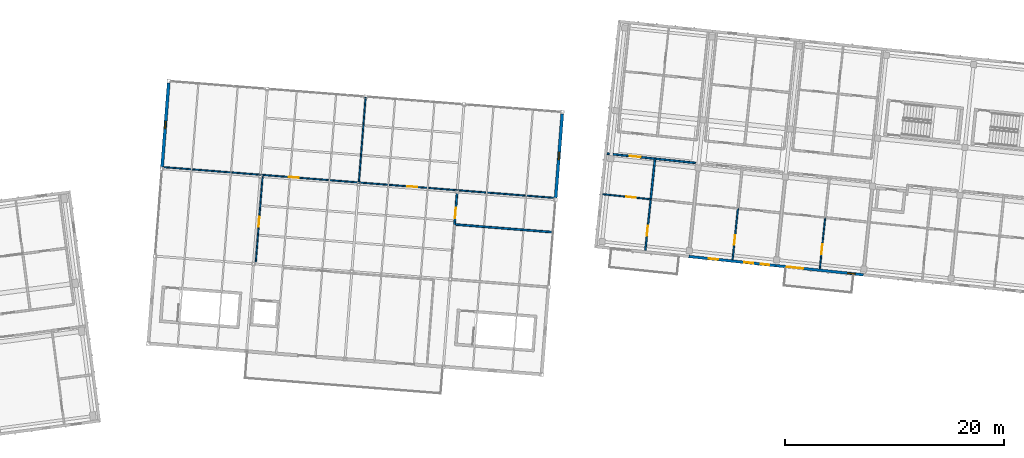
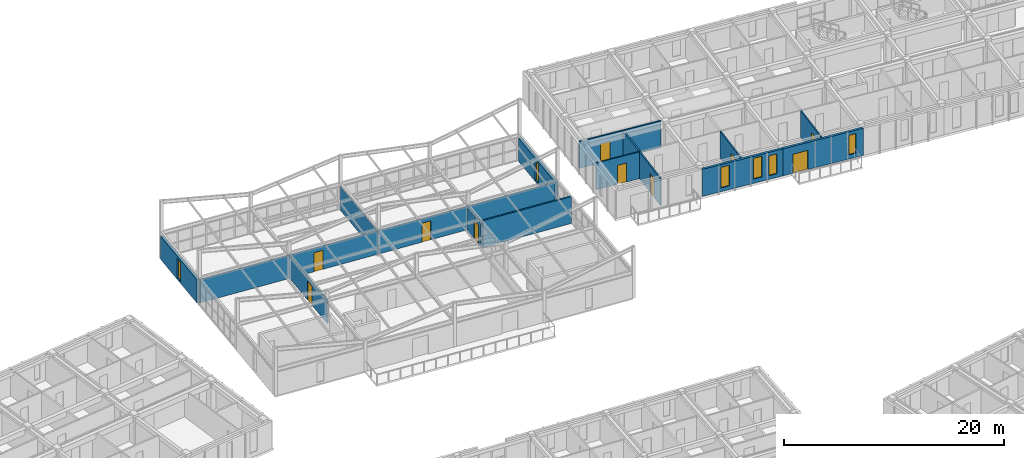
# One storey, part 85 of 127: 16 walls, 10 doors, 6 windows, 16 openings.
"""IFC4 building model written with IfcOpenShell, lengths in metres."""

from ifc_helpers import new_model, si_unit, direction, frame, frame_2d, origin, place, context, subcontext, project, spatial, rectangle, extrude, material, layer, layer_set, type_object, element, fill, save


model = new_model("IFC4")

# Units and contexts
model_context = context("Model", 3, precision=1e-05, world=origin(), true_north=direction((0.0, 1.0)))
body_context = subcontext(model_context, "Body", "Model", "MODEL_VIEW")
ifc_project = project(units=[si_unit("LENGTHUNIT", "METRE"), si_unit("AREAUNIT", "SQUARE_METRE"), si_unit("VOLUMEUNIT", "CUBIC_METRE"), si_unit("PLANEANGLEUNIT", "RADIAN"), si_unit("MASSUNIT", "GRAM", prefix="KILO")], contexts=[model_context])

# Site, building, storey
site_placement = place(None, origin())
site = spatial("IfcSite", under=ifc_project, at=site_placement, CompositionType="ELEMENT")
building_placement = place(site_placement, origin())
building = spatial("IfcBuilding", under=site, at=building_placement, Name="Kestramere Prow Commons", CompositionType="ELEMENT")
storey_placement = place(building_placement, frame((0.0, 0.0, 8.39990234375)))
storey = spatial("IfcBuildingStorey", under=building, at=storey_placement, Name="L02", CompositionType="ELEMENT", Elevation=8.39990234375)

# Wall, opening, window
ifc_material_1 = material(Name="Precast concrete C40/50", Category="concrete")
ifc_layer_1 = layer(ifc_material_1, 0.280029296875)
ifc_layer_set_1 = layer_set([ifc_layer_1], Name="Precast concrete C40/50")
wall_type_1 = type_object("IfcWallType", Name="EW-CIVIC-280", PredefinedType="SOLIDWALL", material=ifc_layer_set_1)
wall_1_placement = place(storey_placement, frame((69.8671875, 101.60009765625, 0.0), z_axis=(0.0, 0.0, 1.0), x_axis=(0.078442108986, 0.996918670473, 0.0)))
wall_1 = element("IfcWall", 1, at=wall_1_placement, inside=storey, type_object=wall_type_1, Name="Nursery L02 W Wall 3", PredefinedType="SOLIDWALL", context=body_context, shape_type="SweptSolid", body=[
    extrude(rectangle(XDim=7.699951171875, YDim=0.280029296875, at=frame_2d((3.85009765625, 0.0))), origin(), (0.0, 0.0, 1.0), 2.580078125),
])
opening_1_placement = place(wall_1_placement, frame((3.5, 0.0, 0.199951171875)))
opening_1 = element("IfcOpeningElement", 2, at=opening_1_placement, cuts=wall_1, Name="Opening WN-16", PredefinedType="OPENING", context=body_context, shape_type="SweptSolid", body=[
    extrude(rectangle(XDim=0.699951171875, YDim=2.139892578125, at=frame_2d((0.35009765625, 1.06982421875))), frame((0.0, 0.155029296875, 0.0), z_axis=(0.0, -1.0, 0.0), x_axis=(1.0, 0.0, 0.0)), (0.0, 0.0, 1.0), 0.31005859375),
])
ifc_material_2 = material(Name="Low-E Laminated Double Glazing", Category="glass")
window_type_1 = type_object("IfcWindowType", Name="WN-CIV-700", PartitioningType="SINGLE_PANEL", PredefinedType="WINDOW", material=ifc_material_2)
window_1_placement = place(opening_1_placement, origin())
window_1 = element("IfcWindow", 3, at=window_1_placement, inside=storey, type_object=window_type_1, Name="WN-NR-L02-W-2", OverallHeight=2.139892578125, OverallWidth=0.699951171875, PartitioningType="SINGLE_PANEL", PredefinedType="WINDOW", context=body_context, shape_type="SweptSolid", body=[
    extrude(rectangle(XDim=0.699951171875, YDim=2.139892578125, at=frame_2d((0.35009765625, 1.06982421875))), frame((0.0, 0.030029296875, 0.0), z_axis=(0.0, -1.0, 0.0), x_axis=(1.0, 0.0, 0.0)), (0.0, 0.0, 1.0), 0.06005859375),
])
fill(opening_1, window_1)

wall_2_placement = place(storey_placement, frame((106.3603515625, 106.451904296875, 0.0), z_axis=(0.0, 0.0, 1.0), x_axis=(-0.078473620365, -0.996916190513, 0.0)))
wall_2 = element("IfcWall", 4, at=wall_2_placement, inside=storey, type_object=wall_type_1, Name="Nursery L02 E Wall 3", PredefinedType="SOLIDWALL", context=body_context, shape_type="SweptSolid", body=[
    extrude(rectangle(XDim=7.699951171875, YDim=0.280029296875, at=frame_2d((3.85009765625, 0.0))), origin(), (0.0, 0.0, 1.0), 2.580078125),
])
opening_2_placement = place(wall_2_placement, frame((3.5, 0.0, 0.199951171875)))
opening_2 = element("IfcOpeningElement", 5, at=opening_2_placement, cuts=wall_2, Name="Opening WN-16", PredefinedType="OPENING", context=body_context, shape_type="SweptSolid", body=[
    extrude(rectangle(XDim=0.699951171875, YDim=2.139892578125, at=frame_2d((0.35009765625, 1.06982421875))), frame((0.0, 0.155029296875, 0.0), z_axis=(0.0, -1.0, 0.0), x_axis=(1.0, 0.0, 0.0)), (0.0, 0.0, 1.0), 0.31005859375),
])
window_2_placement = place(opening_2_placement, origin())
window_2 = element("IfcWindow", 6, at=window_2_placement, inside=storey, type_object=window_type_1, Name="WN-NR-L02-E-2", OverallHeight=2.139892578125, OverallWidth=0.699951171875, PartitioningType="SINGLE_PANEL", PredefinedType="WINDOW", context=body_context, shape_type="SweptSolid", body=[
    extrude(rectangle(XDim=0.699951171875, YDim=2.139892578125, at=frame_2d((0.35009765625, 1.06982421875))), frame((0.0, 0.030029296875, 0.0), z_axis=(0.0, -1.0, 0.0), x_axis=(1.0, 0.0, 0.0)), (0.0, 0.0, 1.0), 0.06005859375),
])
fill(opening_2, window_2)

# Wall, openings, windows
ifc_material_3 = material(Name="Fluoropolymer Standing-Seam Zinc-Aluminium Cladding", Category="aluminium")
ifc_layer_2 = layer(ifc_material_3, 0.239990234375)
ifc_layer_set_2 = layer_set([ifc_layer_2], Name="Fluoropolymer Standing-Seam Zinc-Aluminium Cladding")
wall_type_2 = type_object("IfcWallType", Name="EW-SEAM-240", PredefinedType="SOLIDWALL", material=ifc_layer_set_2)
wall_3_placement = place(storey_placement, frame((125.857421875, 92.60546875, 0.0), z_axis=(0.0, 0.0, 1.0), x_axis=(-0.994522329422, 0.104524333444, 0.0)))
wall_3 = element("IfcWall", 7, at=wall_3_placement, inside=storey, type_object=wall_type_2, Name="Block B L02 South Standing-Seam Wall 2", PredefinedType="SOLIDWALL", context=body_context, shape_type="SweptSolid", body=[
    extrude(rectangle(XDim=7.999755859375, YDim=0.239990234375, at=frame_2d((4.0, 0.0))), origin(), (0.0, 0.0, 1.0), 3.0),
])
opening_3_placement = place(wall_3_placement, frame((0.610107421875, 0.0, 0.419921875)))
opening_3 = element("IfcOpeningElement", 8, at=opening_3_placement, cuts=wall_3, Name="Opening WN-11", PredefinedType="OPENING", context=body_context, shape_type="SweptSolid", body=[
    extrude(rectangle(XDim=0.780029296875, YDim=2.199951171875, at=frame_2d((0.39013671875, 1.10009765625))), frame((0.0, 0.135009765625, 0.0), z_axis=(0.0, -1.0, 0.0), x_axis=(1.0, 0.0, 0.0)), (0.0, 0.0, 1.0), 0.27001953125),
])
opening_4_placement = place(wall_3_placement, frame((2.10009765625, 0.0, 0.47998046875)))
opening_4 = element("IfcOpeningElement", 9, at=opening_4_placement, cuts=wall_3, Name="Opening WN-12", PredefinedType="OPENING", context=body_context, shape_type="SweptSolid", body=[
    extrude(rectangle(XDim=0.800048828125, YDim=2.300048828125, at=frame_2d((0.39990234375, 1.14990234375))), frame((0.0, 0.135009765625, 0.0), z_axis=(0.0, -1.0, 0.0), x_axis=(1.0, 0.0, 0.0)), (0.0, 0.0, 1.0), 0.27001953125),
])
opening_5_placement = place(wall_3_placement, frame((5.322509765625, 0.0, 0.419921875)))
opening_5 = element("IfcOpeningElement", 10, at=opening_5_placement, cuts=wall_3, Name="Opening WN-14", PredefinedType="OPENING", context=body_context, shape_type="SweptSolid", body=[
    extrude(rectangle(XDim=0.840087890625, YDim=2.280029296875, at=frame_2d((0.419921875, 1.14013671875))), frame((0.0, 0.135009765625, 0.0), z_axis=(0.0, -1.0, 0.0), x_axis=(1.0, 0.0, 0.0)), (0.0, 0.0, 1.0), 0.27001953125),
])
window_type_2 = type_object("IfcWindowType", Name="WN-NAR-780A", PartitioningType="SINGLE_PANEL", PredefinedType="WINDOW", material=ifc_material_2)
window_3_placement = place(opening_3_placement, origin())
window_3 = element("IfcWindow", 11, at=window_3_placement, inside=storey, type_object=window_type_2, Name="WN-B-L02-S-1-00", OverallHeight=2.199951171875, OverallWidth=0.780029296875, PartitioningType="SINGLE_PANEL", PredefinedType="WINDOW", context=body_context, shape_type="SweptSolid", body=[
    extrude(rectangle(XDim=0.780029296875, YDim=2.199951171875, at=frame_2d((0.39013671875, 1.10009765625))), frame((0.0, 0.030029296875, 0.0), z_axis=(0.0, -1.0, 0.0), x_axis=(1.0, 0.0, 0.0)), (0.0, 0.0, 1.0), 0.06005859375),
])
fill(opening_3, window_3)
window_type_3 = type_object("IfcWindowType", Name="WN-NAR-800A", PartitioningType="SINGLE_PANEL", PredefinedType="WINDOW", material=ifc_material_2)
window_4_placement = place(opening_4_placement, origin())
window_4 = element("IfcWindow", 12, at=window_4_placement, inside=storey, type_object=window_type_3, Name="WN-B-L02-S-1-01", OverallHeight=2.300048828125, OverallWidth=0.800048828125, PartitioningType="SINGLE_PANEL", PredefinedType="WINDOW", context=body_context, shape_type="SweptSolid", body=[
    extrude(rectangle(XDim=0.800048828125, YDim=2.300048828125, at=frame_2d((0.39990234375, 1.14990234375))), frame((0.0, 0.030029296875, 0.0), z_axis=(0.0, -1.0, 0.0), x_axis=(1.0, 0.0, 0.0)), (0.0, 0.0, 1.0), 0.06005859375),
])
fill(opening_4, window_4)
window_type_4 = type_object("IfcWindowType", Name="WN-NAR-840A", PartitioningType="DOUBLE_PANEL_VERTICAL", PredefinedType="WINDOW", material=ifc_material_2)
window_5_placement = place(opening_5_placement, origin())
window_5 = element("IfcWindow", 13, at=window_5_placement, inside=storey, type_object=window_type_4, Name="WN-B-L02-S-1-10", OverallHeight=2.280029296875, OverallWidth=0.840087890625, PartitioningType="SINGLE_PANEL", PredefinedType="WINDOW", context=body_context, shape_type="SweptSolid", body=[
    extrude(rectangle(XDim=0.840087890625, YDim=2.280029296875, at=frame_2d((0.419921875, 1.14013671875))), frame((0.0, 0.030029296875, 0.0), z_axis=(0.0, -1.0, 0.0), x_axis=(1.0, 0.0, 0.0)), (0.0, 0.0, 1.0), 0.06005859375),
])
fill(opening_5, window_5)

# Wall, openings, door, window
wall_4_placement = place(storey_placement, frame((133.813720703125, 91.769287109375, 0.0), z_axis=(0.0, 0.0, 1.0), x_axis=(-0.994522662826, 0.104521161134, 0.0)))
wall_4 = element("IfcWall", 14, at=wall_4_placement, inside=storey, type_object=wall_type_2, Name="Block B L02 South Standing-Seam Wall 3", PredefinedType="SOLIDWALL", context=body_context, shape_type="SweptSolid", body=[
    extrude(rectangle(XDim=8.0, YDim=0.239990234375, at=frame_2d((4.0, 0.0))), origin(), (0.0, 0.0, 1.0), 3.0),
])
opening_6_placement = place(wall_4_placement, frame((5.4951171875, 0.0, 0.0)))
opening_6 = element("IfcOpeningElement", 15, at=opening_6_placement, cuts=wall_4, Name="Opening GD-BAL-01", PredefinedType="OPENING", context=body_context, shape_type="SweptSolid", body=[
    extrude(rectangle(XDim=1.5, YDim=2.1201171875, at=frame_2d((0.75, 1.06005859375))), frame((0.0, 0.135009765625, 0.0), z_axis=(0.0, -1.0, 0.0), x_axis=(1.0, 0.0, 0.0)), (0.0, 0.0, 1.0), 0.27001953125),
])
opening_7_placement = place(wall_4_placement, frame((0.72998046875, 0.0, 0.4599609375)))
opening_7 = element("IfcOpeningElement", 16, at=opening_7_placement, cuts=wall_4, Name="Opening WN-08", PredefinedType="OPENING", context=body_context, shape_type="SweptSolid", body=[
    extrude(rectangle(XDim=0.719970703125, YDim=2.159912109375, at=frame_2d((0.35986328125, 1.080078125))), frame((0.0, 0.135009765625, 0.0), z_axis=(0.0, -1.0, 0.0), x_axis=(1.0, 0.0, 0.0)), (0.0, 0.0, 1.0), 0.27001953125),
])
ifc_material_4 = material(Name="Thermally-Broken Anodised Aluminium Glazed", Category="aluminium")
door_type_1 = type_object("IfcDoorType", Name="GD-BAL-1500", OperationType="SLIDING_TO_RIGHT", PredefinedType="DOOR", material=ifc_material_4)
door_1_placement = place(opening_6_placement, origin())
door_1 = element("IfcDoor", 17, at=door_1_placement, inside=storey, type_object=door_type_1, Name="Block B L02 Balcony Door 3", OperationType="SLIDING_TO_RIGHT", OverallHeight=2.1201171875, OverallWidth=1.5, PredefinedType="DOOR", context=body_context, shape_type="SweptSolid", body=[
    extrude(rectangle(XDim=1.5, YDim=2.1201171875, at=frame_2d((0.75, 1.06005859375))), frame((0.0, 0.02490234375, 0.0), z_axis=(0.0, -1.0, 0.0), x_axis=(1.0, 0.0, 0.0)), (0.0, 0.0, 1.0), 0.050048828125),
])
fill(opening_6, door_1)
window_type_5 = type_object("IfcWindowType", Name="WN-NAR-720A", PartitioningType="SINGLE_PANEL", PredefinedType="WINDOW", material=ifc_material_2)
window_6_placement = place(opening_7_placement, origin())
window_6 = element("IfcWindow", 18, at=window_6_placement, inside=storey, type_object=window_type_5, Name="WN-B-L02-SR-2", OverallHeight=2.159912109375, OverallWidth=0.719970703125, PartitioningType="SINGLE_PANEL", PredefinedType="WINDOW", context=body_context, shape_type="SweptSolid", body=[
    extrude(rectangle(XDim=0.719970703125, YDim=2.159912109375, at=frame_2d((0.35986328125, 1.080078125))), frame((0.0, 0.030029296875, 0.0), z_axis=(0.0, -1.0, 0.0), x_axis=(1.0, 0.0, 0.0)), (0.0, 0.0, 1.0), 0.06005859375),
])
fill(opening_7, window_6)

# Wall, opening, door
ifc_material_5 = material(Name="Fire-Rated Calcium Silicate Wall")
ifc_layer_3 = layer(ifc_material_5, 0.155029296875)
ifc_layer_set_3 = layer_set([ifc_layer_3], Name="Fire-Rated Calcium Silicate Wall")
wall_type_3 = type_object("IfcWallType", Name="W-FIRE-150", PredefinedType="PARTITIONING", material=ifc_layer_set_3)
wall_5_placement = place(storey_placement, frame((110.445556640625, 102.8173828125, 0.0), z_axis=(0.0, 0.0, 1.0), x_axis=(0.994522594842, -0.104521808006, 0.0)))
wall_5 = element("IfcWall", 19, at=wall_5_placement, inside=storey, type_object=wall_type_3, Name="Interior Partition PW-B-L02-CS-0", PredefinedType="PARTITIONING", context=body_context, shape_type="SweptSolid", body=[
    extrude(rectangle(XDim=8.10986328125, YDim=0.155029296875, at=frame_2d((4.054931640625, 0.0))), origin(), (0.0, 0.0, 1.0), 2.97021484375),
])
opening_8_placement = place(wall_5_placement, frame((2.0849609375, 0.0, 0.0)))
opening_8 = element("IfcOpeningElement", 20, at=opening_8_placement, cuts=wall_5, Name="Opening ID-04", PredefinedType="OPENING", context=body_context, shape_type="SweptSolid", body=[
    extrude(rectangle(XDim=0.97998046875, YDim=2.14990234375, at=frame_2d((0.489990234375, 1.074951171875))), frame((0.0, 0.092529296875, 0.0), z_axis=(0.0, -1.0, 0.0), x_axis=(1.0, 0.0, 0.0)), (0.0, 0.0, 1.0), 0.18505859375),
])
ifc_material_6 = material(Name="Hardwood Fire-Rated Flat Entrance Door", Category="wood")
door_type_2 = type_object("IfcDoorType", Name="FD-ENT-01", OperationType="NOTDEFINED", PredefinedType="DOOR", material=ifc_material_6)
door_2_placement = place(opening_8_placement, origin())
door_2 = element("IfcDoor", 21, at=door_2_placement, inside=storey, type_object=door_type_2, Name="Interior Door DR-B-L02-ENT-S0", OperationType="SINGLE_SWING_LEFT", OverallHeight=2.14990234375, OverallWidth=0.97998046875, PredefinedType="DOOR", context=body_context, shape_type="SweptSolid", body=[
    extrude(rectangle(XDim=0.97998046875, YDim=2.14990234375, at=frame_2d((0.489990234375, 1.074951171875))), frame((0.0, 0.02490234375, 0.0), z_axis=(0.0, -1.0, 0.0), x_axis=(1.0, 0.0, 0.0)), (0.0, 0.0, 1.0), 0.050048828125),
])
fill(opening_8, door_2)

ifc_material_7 = material(Name="Lightweight Blockwork and Plaster", Category="masonry")
ifc_layer_4 = layer(ifc_material_7, 0.1201171875)
ifc_layer_set_4 = layer_set([ifc_layer_4], Name="Lightweight Blockwork and Plaster")
wall_type_4 = type_object("IfcWallType", Name="W-PART-120", PredefinedType="PARTITIONING", material=ifc_layer_set_4)
wall_6_placement = place(storey_placement, frame((70.026611328125, 101.587646484375, 0.0), z_axis=(0.0, 0.0, 1.0), x_axis=(0.996917529869, -0.078456603549, 0.0)))
wall_6 = element("IfcWall", 22, at=wall_6_placement, inside=storey, type_object=wall_type_4, Name="Interior Partition PW-NR-L02-CN1", PredefinedType="PARTITIONING", context=body_context, shape_type="SweptSolid", body=[
    extrude(rectangle(XDim=17.83984375, YDim=0.1201171875, at=frame_2d((8.919921875, 0.0))), origin(), (0.0, 0.0, 1.0), 2.59375),
])
opening_9_placement = place(wall_6_placement, frame((11.449951171875, 0.0, 0.0)))
opening_9 = element("IfcOpeningElement", 23, at=opening_9_placement, cuts=wall_6, Name="Opening ID-08", PredefinedType="OPENING", context=body_context, shape_type="SweptSolid", body=[
    extrude(rectangle(XDim=0.89990234375, YDim=2.10009765625, at=frame_2d((0.449951171875, 1.050048828125))), frame((0.0, 0.074951171875, 0.0), z_axis=(0.0, -1.0, 0.0), x_axis=(1.0, 0.0, 0.0)), (0.0, 0.0, 1.0), 0.150146484375),
])
ifc_material_8 = material(Name="Engineered Timber Flush Door", Category="wood")
door_type_3 = type_object("IfcDoorType", Name="D-RM-01", OperationType="NOTDEFINED", PredefinedType="DOOR", material=ifc_material_8)
door_3_placement = place(opening_9_placement, origin())
door_3 = element("IfcDoor", 24, at=door_3_placement, inside=storey, type_object=door_type_3, Name="Interior Door DR-NR-L02-N1", OperationType="SINGLE_SWING_RIGHT", OverallHeight=2.10009765625, OverallWidth=0.89990234375, PredefinedType="DOOR", context=body_context, shape_type="SweptSolid", body=[
    extrude(rectangle(XDim=0.89990234375, YDim=2.10009765625, at=frame_2d((0.449951171875, 1.050048828125))), frame((0.0, 0.02490234375, 0.0), z_axis=(0.0, -1.0, 0.0), x_axis=(1.0, 0.0, 0.0)), (0.0, 0.0, 1.0), 0.050048828125),
])
fill(opening_9, door_3)

wall_7_placement = place(storey_placement, frame((87.8115234375, 100.18798828125, 0.0), z_axis=(0.0, 0.0, 1.0), x_axis=(0.996917614105, -0.078455533188, 0.0)))
wall_7 = element("IfcWall", 25, at=wall_7_placement, inside=storey, type_object=wall_type_4, Name="Interior Partition PW-NR-L02-CN2", PredefinedType="PARTITIONING", context=body_context, shape_type="SweptSolid", body=[
    extrude(rectangle(XDim=17.840087890625, YDim=0.1201171875, at=frame_2d((8.919921875, 0.0))), origin(), (0.0, 0.0, 1.0), 2.59375),
])
opening_10_placement = place(wall_7_placement, frame((4.449951171875, 0.0, 0.0)))
opening_10 = element("IfcOpeningElement", 26, at=opening_10_placement, cuts=wall_7, Name="Opening ID-10", PredefinedType="OPENING", context=body_context, shape_type="SweptSolid", body=[
    extrude(rectangle(XDim=0.8798828125, YDim=2.10009765625, at=frame_2d((0.43994140625, 1.050048828125))), frame((0.0, 0.074951171875, 0.0), z_axis=(0.0, -1.0, 0.0), x_axis=(1.0, 0.0, 0.0)), (0.0, 0.0, 1.0), 0.150146484375),
])
ifc_material_9 = material(Name="Engineered Timber Bedroom Door", Category="wood")
door_type_4 = type_object("IfcDoorType", Name="D-RM-03", OperationType="NOTDEFINED", PredefinedType="DOOR", material=ifc_material_9)
door_4_placement = place(opening_10_placement, origin())
door_4 = element("IfcDoor", 27, at=door_4_placement, inside=storey, type_object=door_type_4, Name="Interior Door DR-NR-L02-N2", OperationType="SINGLE_SWING_LEFT", OverallHeight=2.10009765625, OverallWidth=0.8798828125, PredefinedType="DOOR", context=body_context, shape_type="SweptSolid", body=[
    extrude(rectangle(XDim=0.8798828125, YDim=2.10009765625, at=frame_2d((0.43994140625, 1.050048828125))), frame((0.0, 0.02490234375, 0.0), z_axis=(0.0, -1.0, 0.0), x_axis=(1.0, 0.0, 0.0)), (0.0, 0.0, 1.0), 0.050048828125),
])
fill(opening_10, door_4)

wall_8_placement = place(storey_placement, frame((78.4150390625, 92.952880859375, 0.0), z_axis=(0.0, 0.0, 1.0), x_axis=(0.078462345875, 0.996917077936, 0.0)))
wall_8 = element("IfcWall", 28, at=wall_8_placement, inside=storey, type_object=wall_type_4, Name="Interior Partition PW-NR-L02-CW", PredefinedType="PARTITIONING", context=body_context, shape_type="SweptSolid", body=[
    extrude(rectangle(XDim=7.949951171875, YDim=0.1201171875, at=frame_2d((3.97509765625, 0.0))), origin(), (0.0, 0.0, 1.0), 2.59375),
])
opening_11_placement = place(wall_8_placement, frame((3.199951171875, 0.0, 0.0)))
opening_11 = element("IfcOpeningElement", 29, at=opening_11_placement, cuts=wall_8, Name="Opening ID-08", PredefinedType="OPENING", context=body_context, shape_type="SweptSolid", body=[
    extrude(rectangle(XDim=0.89990234375, YDim=2.10009765625, at=frame_2d((0.449951171875, 1.050048828125))), frame((0.0, 0.074951171875, 0.0), z_axis=(0.0, -1.0, 0.0), x_axis=(1.0, 0.0, 0.0)), (0.0, 0.0, 1.0), 0.150146484375),
])
door_5_placement = place(opening_11_placement, origin())
door_5 = element("IfcDoor", 30, at=door_5_placement, inside=storey, type_object=door_type_3, Name="Interior Door DR-NR-L02-W1", OperationType="SINGLE_SWING_RIGHT", OverallHeight=2.10009765625, OverallWidth=0.89990234375, PredefinedType="DOOR", context=body_context, shape_type="SweptSolid", body=[
    extrude(rectangle(XDim=0.89990234375, YDim=2.10009765625, at=frame_2d((0.449951171875, 1.050048828125))), frame((0.0, 0.02490234375, 0.0), z_axis=(0.0, -1.0, 0.0), x_axis=(1.0, 0.0, 0.0)), (0.0, 0.0, 1.0), 0.050048828125),
])
fill(opening_11, door_5)

# Wall
wall_9_placement = place(storey_placement, frame((87.8115234375, 100.18798828125, 0.0), z_axis=(0.0, 0.0, 1.0), x_axis=(0.078462944011, 0.996917030859, 0.0)))
element("IfcWall", 31, at=wall_9_placement, inside=storey, type_object=wall_type_4, Name="Interior Partition PW-NR-L02-DIVN", PredefinedType="PARTITIONING", context=body_context, shape_type="SweptSolid", body=[
    extrude(rectangle(XDim=7.81005859375, YDim=0.1201171875, at=frame_2d((3.905029296875, 0.0))), origin(), (0.0, 0.0, 1.0), 2.59375),
])

# Wall, opening, door
wall_10_placement = place(storey_placement, frame((110.056640625, 99.11767578125, 0.0), z_axis=(0.0, 0.0, 1.0), x_axis=(0.994525828039, -0.104491039633, 0.0)))
wall_10 = element("IfcWall", 32, at=wall_10_placement, inside=storey, type_object=wall_type_4, Name="Interior Partition PW-B-L02-MIDS1-0", PredefinedType="PARTITIONING", context=body_context, shape_type="SweptSolid", body=[
    extrude(rectangle(XDim=4.39501953125, YDim=0.1201171875, at=frame_2d((2.197509765625, 0.0))), origin(), (0.0, 0.0, 1.0), 2.97021484375),
])
opening_12_placement = place(wall_10_placement, frame((2.135009765625, 0.0, 0.0)))
opening_12 = element("IfcOpeningElement", 33, at=opening_12_placement, cuts=wall_10, Name="Opening ID-08", PredefinedType="OPENING", context=body_context, shape_type="SweptSolid", body=[
    extrude(rectangle(XDim=0.89990234375, YDim=2.10009765625, at=frame_2d((0.449951171875, 1.050048828125))), frame((0.0, 0.074951171875, 0.0), z_axis=(0.0, -1.0, 0.0), x_axis=(1.0, 0.0, 0.0)), (0.0, 0.0, 1.0), 0.150146484375),
])
door_6_placement = place(opening_12_placement, origin())
door_6 = element("IfcDoor", 34, at=door_6_placement, inside=storey, type_object=door_type_3, Name="Interior Door DR-B-L02-KL-S0", OperationType="SINGLE_SWING_RIGHT", OverallHeight=2.10009765625, OverallWidth=0.89990234375, PredefinedType="DOOR", context=body_context, shape_type="SweptSolid", body=[
    extrude(rectangle(XDim=0.89990234375, YDim=2.10009765625, at=frame_2d((0.449951171875, 1.050048828125))), frame((0.0, 0.02490234375, 0.0), z_axis=(0.0, -1.0, 0.0), x_axis=(1.0, 0.0, 0.0)), (0.0, 0.0, 1.0), 0.050048828125),
])
fill(opening_12, door_6)

wall_11_placement = place(storey_placement, frame((129.849609375, 92.321533203125, 0.0), z_axis=(0.0, 0.0, 1.0), x_axis=(0.104527618124, 0.994521984196, 0.0)))
wall_11 = element("IfcWall", 35, at=wall_11_placement, inside=storey, type_object=wall_type_4, Name="Interior Partition PW-B-L02-LB-S2", PredefinedType="PARTITIONING", context=body_context, shape_type="SweptSolid", body=[
    extrude(rectangle(XDim=4.68994140625, YDim=0.1201171875, at=frame_2d((2.344970703125, 0.0))), origin(), (0.0, 0.0, 1.0), 2.97021484375),
])
opening_13_placement = place(wall_11_placement, frame((1.35009765625, 0.0, 0.0)))
opening_13 = element("IfcOpeningElement", 36, at=opening_13_placement, cuts=wall_11, Name="Opening ID-08", PredefinedType="OPENING", context=body_context, shape_type="SweptSolid", body=[
    extrude(rectangle(XDim=0.89990234375, YDim=2.10009765625, at=frame_2d((0.449951171875, 1.050048828125))), frame((0.0, 0.074951171875, 0.0), z_axis=(0.0, -1.0, 0.0), x_axis=(1.0, 0.0, 0.0)), (0.0, 0.0, 1.0), 0.150146484375),
])
door_7_placement = place(opening_13_placement, origin())
door_7 = element("IfcDoor", 37, at=door_7_placement, inside=storey, type_object=door_type_3, Name="Interior Door DR-B-L02-BED-S2", OperationType="SINGLE_SWING_LEFT", OverallHeight=2.10009765625, OverallWidth=0.89990234375, PredefinedType="DOOR", context=body_context, shape_type="SweptSolid", body=[
    extrude(rectangle(XDim=0.89990234375, YDim=2.10009765625, at=frame_2d((0.449951171875, 1.050048828125))), frame((0.0, 0.02490234375, 0.0), z_axis=(0.0, -1.0, 0.0), x_axis=(1.0, 0.0, 0.0)), (0.0, 0.0, 1.0), 0.050048828125),
])
fill(opening_13, door_7)

ifc_layer_5 = layer(ifc_material_7, 0.1298828125)
ifc_layer_set_5 = layer_set([ifc_layer_5], Name="Lightweight Blockwork and Plaster")
wall_type_5 = type_object("IfcWallType", Name="W-PART-130", PredefinedType="PARTITIONING", material=ifc_layer_set_5)
wall_12_placement = place(storey_placement, frame((121.8935546875, 93.15771484375, 0.0), z_axis=(0.0, 0.0, 1.0), x_axis=(0.104527618124, 0.994521984196, 0.0)))
wall_12 = element("IfcWall", 38, at=wall_12_placement, inside=storey, type_object=wall_type_5, Name="Interior Partition PW-B-L02-LB-S1", PredefinedType="PARTITIONING", context=body_context, shape_type="SweptSolid", body=[
    extrude(rectangle(XDim=4.68994140625, YDim=0.1298828125, at=frame_2d((2.344970703125, 0.0))), origin(), (0.0, 0.0, 1.0), 2.97021484375),
])
opening_14_placement = place(wall_12_placement, frame((1.35009765625, 0.0, 0.0)))
opening_14 = element("IfcOpeningElement", 39, at=opening_14_placement, cuts=wall_12, Name="Opening ID-10", PredefinedType="OPENING", context=body_context, shape_type="SweptSolid", body=[
    extrude(rectangle(XDim=0.8798828125, YDim=2.10009765625, at=frame_2d((0.43994140625, 1.050048828125))), frame((0.0, 0.079833984375, 0.0), z_axis=(0.0, -1.0, 0.0), x_axis=(1.0, 0.0, 0.0)), (0.0, 0.0, 1.0), 0.159912109375),
])
door_8_placement = place(opening_14_placement, origin())
door_8 = element("IfcDoor", 40, at=door_8_placement, inside=storey, type_object=door_type_4, Name="Interior Door DR-B-L02-BED-S1", OperationType="SINGLE_SWING_RIGHT", OverallHeight=2.10009765625, OverallWidth=0.8798828125, PredefinedType="DOOR", context=body_context, shape_type="SweptSolid", body=[
    extrude(rectangle(XDim=0.8798828125, YDim=2.10009765625, at=frame_2d((0.43994140625, 1.050048828125))), frame((0.0, 0.02490234375, 0.0), z_axis=(0.0, -1.0, 0.0), x_axis=(1.0, 0.0, 0.0)), (0.0, 0.0, 1.0), 0.050048828125),
])
fill(opening_14, door_8)

ifc_material_10 = material(Name="Masonry Compartment Wall", Category="masonry")
ifc_layer_6 = layer(ifc_material_10, 0.139892578125)
ifc_layer_set_6 = layer_set([ifc_layer_6], Name="Masonry Compartment Wall")
wall_type_6 = type_object("IfcWallType", Name="W-PART-140", PredefinedType="PARTITIONING", material=ifc_layer_set_6)
wall_13_placement = place(storey_placement, frame((113.937255859375, 93.994140625, 0.0), z_axis=(0.0, 0.0, 1.0), x_axis=(0.104527618124, 0.994521984196, 0.0)))
wall_13 = element("IfcWall", 41, at=wall_13_placement, inside=storey, type_object=wall_type_6, Name="Interior Partition PW-B-L02-LB-S0", PredefinedType="PARTITIONING", context=body_context, shape_type="SweptSolid", body=[
    extrude(rectangle(XDim=4.68994140625, YDim=0.139892578125, at=frame_2d((2.344970703125, 0.0))), origin(), (0.0, 0.0, 1.0), 2.97021484375),
])
opening_15_placement = place(wall_13_placement, frame((1.35009765625, 0.0, 0.0)))
opening_15 = element("IfcOpeningElement", 42, at=opening_15_placement, cuts=wall_13, Name="Opening ID-08", PredefinedType="OPENING", context=body_context, shape_type="SweptSolid", body=[
    extrude(rectangle(XDim=0.89990234375, YDim=2.10009765625, at=frame_2d((0.449951171875, 1.050048828125))), frame((0.0, 0.0849609375, 0.0), z_axis=(0.0, -1.0, 0.0), x_axis=(1.0, 0.0, 0.0)), (0.0, 0.0, 1.0), 0.169921875),
])
door_9_placement = place(opening_15_placement, origin())
door_9 = element("IfcDoor", 43, at=door_9_placement, inside=storey, type_object=door_type_3, Name="Interior Door DR-B-L02-BED-S0", OperationType="SINGLE_SWING_LEFT", OverallHeight=2.10009765625, OverallWidth=0.89990234375, PredefinedType="DOOR", context=body_context, shape_type="SweptSolid", body=[
    extrude(rectangle(XDim=0.89990234375, YDim=2.10009765625, at=frame_2d((0.449951171875, 1.050048828125))), frame((0.0, 0.02490234375, 0.0), z_axis=(0.0, -1.0, 0.0), x_axis=(1.0, 0.0, 0.0)), (0.0, 0.0, 1.0), 0.050048828125),
])
fill(opening_15, door_9)

ifc_material_11 = material(Name="Waterproof Sanitary Masonry Wall", Category="masonry")
ifc_layer_7 = layer(ifc_material_11, 0.1650390625)
ifc_layer_set_7 = layer_set([ifc_layer_7], Name="Waterproof Sanitary Masonry Wall")
wall_type_7 = type_object("IfcWallType", Name="W-PLUMB-150", PredefinedType="PLUMBINGWALL", material=ifc_layer_set_7)
wall_14_placement = place(storey_placement, frame((96.538330078125, 96.361572265625, 0.0), z_axis=(0.0, 0.0, 1.0), x_axis=(0.078437571766, 0.996919027472, 0.0)))
wall_14 = element("IfcWall", 44, at=wall_14_placement, inside=storey, type_object=wall_type_7, Name="Interior Partition PW-NR-L02-CE2", PredefinedType="PLUMBINGWALL", context=body_context, shape_type="SweptSolid", body=[
    extrude(rectangle(XDim=2.820068359375, YDim=0.1650390625, at=frame_2d((1.41015625, 0.0))), origin(), (0.0, 0.0, 1.0), 2.59375),
])
opening_16_placement = place(wall_14_placement, frame((0.550048828125, 0.0, 0.0)))
opening_16 = element("IfcOpeningElement", 45, at=opening_16_placement, cuts=wall_14, Name="Opening ID-13", PredefinedType="OPENING", context=body_context, shape_type="SweptSolid", body=[
    extrude(rectangle(XDim=0.9599609375, YDim=2.1201171875, at=frame_2d((0.47998046875, 1.06005859375))), frame((0.0, 0.097412109375, 0.0), z_axis=(0.0, -1.0, 0.0), x_axis=(1.0, 0.0, 0.0)), (0.0, 0.0, 1.0), 0.195068359375),
])
ifc_material_12 = material(Name="Accessible Wide-Leaf Timber Door", Category="wood")
door_type_5 = type_object("IfcDoorType", Name="D-ACC-01", OperationType="NOTDEFINED", PredefinedType="DOOR", material=ifc_material_12)
door_10_placement = place(opening_16_placement, origin())
door_10 = element("IfcDoor", 46, at=door_10_placement, inside=storey, type_object=door_type_5, Name="Interior Door DR-NR-L02-AWC", OperationType="SINGLE_SWING_RIGHT", OverallHeight=2.1201171875, OverallWidth=0.9599609375, PredefinedType="DOOR", context=body_context, shape_type="SweptSolid", body=[
    extrude(rectangle(XDim=0.9599609375, YDim=2.1201171875, at=frame_2d((0.47998046875, 1.06005859375))), frame((0.0, 0.02490234375, 0.0), z_axis=(0.0, -1.0, 0.0), x_axis=(1.0, 0.0, 0.0)), (0.0, 0.0, 1.0), 0.050048828125),
])
fill(opening_16, door_10)

# Walls
wall_15_placement = place(storey_placement, frame((96.6279296875, 96.3544921875, 0.0), z_axis=(0.0, 0.0, 1.0), x_axis=(0.996916420474, -0.078470698917, 0.0)))
element("IfcWall", 47, at=wall_15_placement, inside=storey, type_object=wall_type_7, Name="Interior Partition PW-NR-L02-DIVWC", PredefinedType="PLUMBINGWALL", context=body_context, shape_type="SweptSolid", body=[
    extrude(rectangle(XDim=8.8701171875, YDim=0.1650390625, at=frame_2d((4.43505859375, 0.0))), origin(), (0.0, 0.0, 1.0), 2.97998046875),
])
wall_16_placement = place(storey_placement, frame((114.427490234375, 98.658447265625, 0.0), z_axis=(0.0, 0.0, 1.0), x_axis=(0.104551541926, 0.994519469433, 0.0)))
element("IfcWall", 48, at=wall_16_placement, inside=storey, type_object=wall_type_7, Name="Interior Partition PW-B-L02-KB-S0", PredefinedType="PLUMBINGWALL", context=body_context, shape_type="SweptSolid", body=[
    extrude(rectangle(XDim=3.719970703125, YDim=0.1650390625, at=frame_2d((1.85986328125, 0.0))), origin(), (0.0, 0.0, 1.0), 2.97021484375),
])

save(model, "model.ifc")
